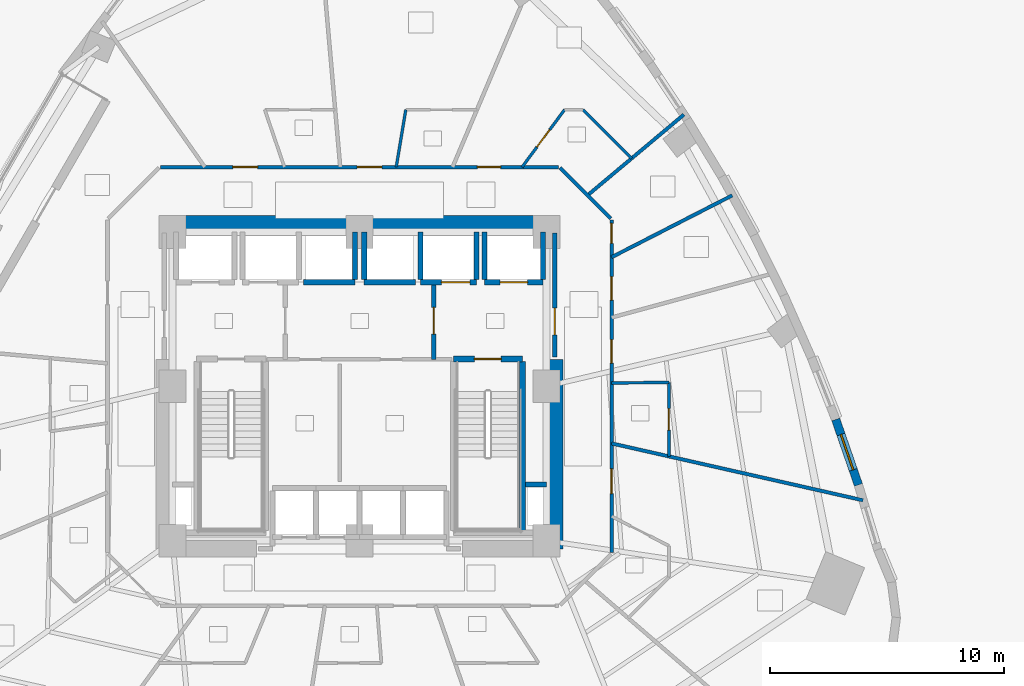
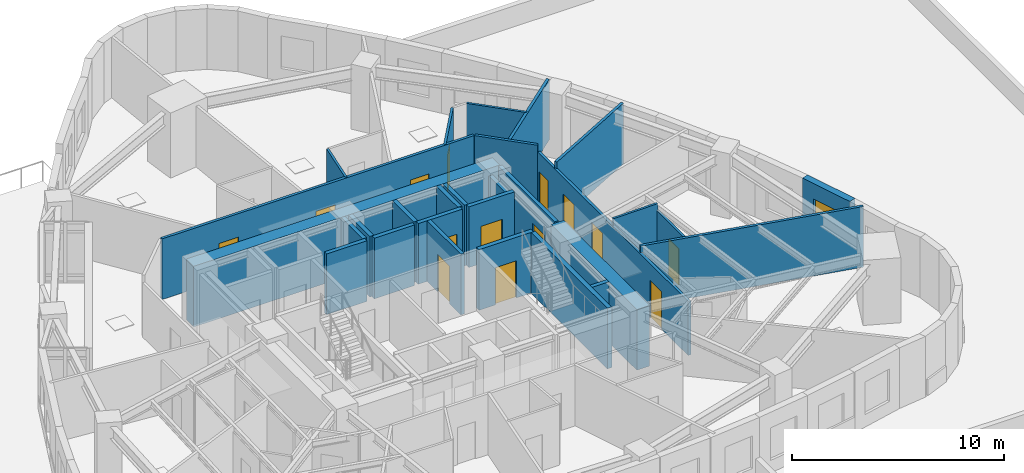
# One storey, part 10 of 15: 29 walls, 14 doors, 1 window, 15 openings.
"""IFC4 building model written with IfcOpenShell, lengths in metres."""

from ifc_helpers import new_model, si_unit, direction, frame, frame_2d, origin, place, context, subcontext, project, spatial, rectangle, extrude, material, layer, layer_set, type_object, element, fill, save


model = new_model("IFC4")

# Units and contexts
model_context = context("Model", 3, precision=1e-05, world=origin(), true_north=direction((0.0, 1.0)))
body_context = subcontext(model_context, "Body", "Model", "MODEL_VIEW")
ifc_project = project(units=[si_unit("LENGTHUNIT", "METRE"), si_unit("AREAUNIT", "SQUARE_METRE"), si_unit("VOLUMEUNIT", "CUBIC_METRE"), si_unit("PLANEANGLEUNIT", "RADIAN"), si_unit("MASSUNIT", "GRAM", prefix="KILO")], contexts=[model_context])

# Site, building, storey
site_placement = place(None, origin())
site = spatial("IfcSite", under=ifc_project, at=site_placement, CompositionType="ELEMENT")
building_placement = place(site_placement, origin())
building = spatial("IfcBuilding", under=site, at=building_placement, Name="Ndelora Gate Hotel", CompositionType="ELEMENT")
storey_placement = place(building_placement, frame((0.0, 0.0, 30.5)))
storey = spatial("IfcBuildingStorey", under=building, at=storey_placement, Name="L06", CompositionType="ELEMENT", Elevation=30.5)

# Wall, opening, window
ifc_material_1 = material(Name="Clay Brick Masonry", Category="masonry")
ifc_layer_1 = layer(ifc_material_1, 0.360107421875)
ifc_layer_set_1 = layer_set([ifc_layer_1], Name="Clay Brick Masonry")
wall_type_1 = type_object("IfcWallType", Name="WL-BRICK-360", PredefinedType="SOLIDWALL", material=ifc_layer_set_1)
wall_1_placement = place(storey_placement, frame((20.368408203125, -1.417236328125, 0.0), z_axis=(0.0, 0.0, 1.0), x_axis=(0.327385218266, -0.944890956069, 0.0)))
wall_1 = element("IfcWall", 1, at=wall_1_placement, inside=storey, type_object=wall_type_1, Name="L06 Tower Brick Pier-and-Spandrel Wall TWR-48", PredefinedType="SOLIDWALL", context=body_context, shape_type="SweptSolid", body=[
    extrude(rectangle(XDim=2.961181640625, YDim=0.360107421875, at=frame_2d((1.48046875, 0.0))), origin(), (0.0, 0.0, 1.0), 3.5),
])
opening_1_placement = place(wall_1_placement, frame((0.6806640625, 0.0, 0.719970703125)))
opening_1 = element("IfcOpeningElement", 2, at=opening_1_placement, cuts=wall_1, Name="Opening W01", PredefinedType="OPENING", context=body_context, shape_type="SweptSolid", body=[
    extrude(rectangle(XDim=1.60009765625, YDim=1.8798828125, at=frame_2d((0.800048828125, 0.93994140625))), frame((0.0, 0.18994140625, 0.0), z_axis=(0.0, -1.0, 0.0), x_axis=(1.0, 0.0, 0.0)), (0.0, 0.0, 1.0), 0.380126953125),
])
ifc_material_2 = material(Name="Insulated Low-E Double Glazing in Bronze Aluminium Frame", Category="aluminium")
window_type = type_object("IfcWindowType", Name="WN-DEEP-1600", PartitioningType="SINGLE_PANEL", PredefinedType="WINDOW", material=ifc_material_2)
window_placement = place(opening_1_placement, origin())
window = element("IfcWindow", 3, at=window_placement, inside=storey, type_object=window_type, Name="L06 Deep-Set Brick-Pier Window W01", OverallHeight=1.8798828125, OverallWidth=1.60009765625, PartitioningType="SINGLE_PANEL", PredefinedType="WINDOW", context=body_context, shape_type="SweptSolid", body=[
    extrude(rectangle(XDim=1.60009765625, YDim=1.8798828125, at=frame_2d((0.800048828125, 0.93994140625))), frame((0.0, 0.030029296875, 0.0), z_axis=(0.0, -1.0, 0.0), x_axis=(1.0, 0.0, 0.0)), (0.0, 0.0, 1.0), 0.06005859375),
])
fill(opening_1, window)

# Walls
ifc_material_3 = material(Name="Concrete C60/75", Category="concrete")
ifc_layer_2 = layer(ifc_material_3, 0.699951171875)
ifc_layer_set_2 = layer_set([ifc_layer_2], Name="Concrete C60/75")
wall_type_2 = type_object("IfcWallType", Name="WL-CORE-700", PredefinedType="SHEAR", material=ifc_layer_set_2)
wall_2_placement = place(storey_placement, frame((-8.35009765625, 6.949951171875, 0.0), z_axis=(0.0, 0.0, 1.0), x_axis=(1.0, 0.0, 0.0)))
element("IfcWall", 4, at=wall_2_placement, inside=storey, type_object=wall_type_2, Name="L06 Core Shear Wall N", PredefinedType="SHEAR", context=body_context, shape_type="SweptSolid", body=[
    extrude(rectangle(XDim=16.7001953125, YDim=0.699951171875, at=frame_2d((8.35009765625, 0.0))), origin(), (0.0, 0.0, 1.0), 3.5),
])
wall_3_placement = place(storey_placement, frame((8.35009765625, -6.949951171875, 0.0), z_axis=(0.0, 0.0, 1.0), x_axis=(0.0, 1.0, 0.0)))
element("IfcWall", 5, at=wall_3_placement, inside=storey, type_object=wall_type_2, Name="L06 Core Shear Wall E", PredefinedType="SHEAR", context=body_context, shape_type="SweptSolid", body=[
    extrude(rectangle(XDim=8.099853515625, YDim=0.699951171875, at=frame_2d((4.0498046875, 0.0))), origin(), (0.0, 0.0, 1.0), 3.5),
])

# Wall, opening, door
ifc_material_4 = material(Name="Concrete C40/50", Category="concrete")
ifc_layer_3 = layer(ifc_material_4, 0.199951171875)
ifc_layer_set_3 = layer_set([ifc_layer_3], Name="Concrete C40/50")
wall_type_3 = type_object("IfcWallType", Name="WL-FIRE-200", PredefinedType="PARTITIONING", material=ifc_layer_set_3)
wall_4_placement = place(storey_placement, frame((3.179931640625, 1.14990234375, 0.0), z_axis=(0.0, 0.0, 1.0), x_axis=(0.0, 1.0, 0.0)))
wall_4 = element("IfcWall", 6, at=wall_4_placement, inside=storey, type_object=wall_type_3, Name="L06 Interior Wall IW-2", PredefinedType="PARTITIONING", context=body_context, shape_type="SweptSolid", body=[
    extrude(rectangle(XDim=3.300048828125, YDim=0.199951171875, at=frame_2d((1.64990234375, 0.0))), origin(), (0.0, 0.0, 1.0), 3.5),
])
opening_2_placement = place(wall_4_placement, frame((1.080078125, 0.0, 0.0)))
opening_2 = element("IfcOpeningElement", 7, at=opening_2_placement, cuts=wall_4, Name="Opening FD1", PredefinedType="OPENING", context=body_context, shape_type="SweptSolid", body=[
    extrude(rectangle(XDim=1.14990234375, YDim=2.14990234375, at=frame_2d((0.574951171875, 1.074951171875))), frame((0.0, 0.10986328125, 0.0), z_axis=(0.0, -1.0, 0.0), x_axis=(1.0, 0.0, 0.0)), (0.0, 0.0, 1.0), 0.219970703125),
])
ifc_material_5 = material(Name="Fire-Rated Timber-Veneer Steel Core", Category="steel")
door_type_1 = type_object("IfcDoorType", Name="DR-FD60", OperationType="SINGLE_SWING_LEFT", PredefinedType="DOOR", material=ifc_material_5)
door_1_placement = place(opening_2_placement, origin())
door_1 = element("IfcDoor", 8, at=door_1_placement, inside=storey, type_object=door_type_1, Name="L06 Firefighting Lobby East Door", OperationType="SINGLE_SWING_LEFT", OverallHeight=2.14990234375, OverallWidth=1.14990234375, PredefinedType="DOOR", context=body_context, shape_type="SweptSolid", body=[
    extrude(rectangle(XDim=1.14990234375, YDim=2.14990234375, at=frame_2d((0.574951171875, 1.074951171875))), frame((0.0, 0.02490234375, 0.0), z_axis=(0.0, -1.0, 0.0), x_axis=(1.0, 0.0, 0.0)), (0.0, 0.0, 1.0), 0.050048828125),
])
fill(opening_2, door_1)

wall_5_placement = place(storey_placement, frame((8.35009765625, 1.25, 0.0), z_axis=(0.0, 0.0, 1.0), x_axis=(0.0, 1.0, 0.0)))
wall_5 = element("IfcWall", 9, at=wall_5_placement, inside=storey, type_object=wall_type_3, Name="L06 Interior Wall IW-2", PredefinedType="PARTITIONING", context=body_context, shape_type="SweptSolid", body=[
    extrude(rectangle(XDim=5.300048828125, YDim=0.199951171875, at=frame_2d((2.64990234375, 0.0))), origin(), (0.0, 0.0, 1.0), 3.5),
])
opening_3_placement = place(wall_5_placement, frame((0.949951171875, 0.0, 0.0)))
opening_3 = element("IfcOpeningElement", 10, at=opening_3_placement, cuts=wall_5, Name="Opening FD1", PredefinedType="OPENING", context=body_context, shape_type="SweptSolid", body=[
    extrude(rectangle(XDim=1.14990234375, YDim=2.14990234375, at=frame_2d((0.574951171875, 1.074951171875))), frame((0.0, 0.10986328125, 0.0), z_axis=(0.0, -1.0, 0.0), x_axis=(1.0, 0.0, 0.0)), (0.0, 0.0, 1.0), 0.219970703125),
])
door_2_placement = place(opening_3_placement, origin())
door_2 = element("IfcDoor", 11, at=door_2_placement, inside=storey, type_object=door_type_1, Name="L06 Firefighting Lobby East Corridor Door", OperationType="SINGLE_SWING_RIGHT", OverallHeight=2.14990234375, OverallWidth=1.14990234375, PredefinedType="DOOR", context=body_context, shape_type="SweptSolid", body=[
    extrude(rectangle(XDim=1.14990234375, YDim=2.14990234375, at=frame_2d((0.574951171875, 1.074951171875))), frame((0.0, 0.02490234375, 0.0), z_axis=(0.0, -1.0, 0.0), x_axis=(1.0, 0.0, 0.0)), (0.0, 0.0, 1.0), 0.050048828125),
])
fill(opening_3, door_2)

# Wall, openings, doors
ifc_material_6 = material(Name="Fire-Rated Gypsum Stud Partition", Category="gypsum")
ifc_layer_4 = layer(ifc_material_6, 0.14990234375)
ifc_layer_set_4 = layer_set([ifc_layer_4], Name="Fire-Rated Gypsum Stud Partition")
wall_type_4 = type_object("IfcWallType", Name="WL-PART-150", PredefinedType="PARTITIONING", material=ifc_layer_set_4)
wall_6_placement = place(storey_placement, frame((10.780029296875, 7.110107421875, 0.0), z_axis=(0.0, 0.0, 1.0), x_axis=(0.0, -1.0, 0.0)))
wall_6 = element("IfcWall", 12, at=wall_6_placement, inside=storey, type_object=wall_type_4, Name="L06 Interior Wall IW-5", PredefinedType="PARTITIONING", context=body_context, shape_type="SweptSolid", body=[
    extrude(rectangle(XDim=14.22021484375, YDim=0.14990234375, at=frame_2d((7.110107421875, 0.0))), origin(), (0.0, 0.0, 1.0), 3.1201171875),
])
opening_4_placement = place(wall_6_placement, frame((0.139892578125, 0.0, 0.0)))
opening_4 = element("IfcOpeningElement", 13, at=opening_4_placement, cuts=wall_6, Name="Opening D09", PredefinedType="OPENING", context=body_context, shape_type="SweptSolid", body=[
    extrude(rectangle(XDim=0.860107421875, YDim=2.050048828125, at=frame_2d((0.43017578125, 1.02490234375))), frame((0.0, 0.0849609375, 0.0), z_axis=(0.0, -1.0, 0.0), x_axis=(1.0, 0.0, 0.0)), (0.0, 0.0, 1.0), 0.169921875),
])
opening_5_placement = place(wall_6_placement, frame((2.417236328125, 0.0, 0.0)))
opening_5 = element("IfcOpeningElement", 14, at=opening_5_placement, cuts=wall_6, Name="Opening D01", PredefinedType="OPENING", context=body_context, shape_type="SweptSolid", body=[
    extrude(rectangle(XDim=1.0, YDim=2.14990234375, at=frame_2d((0.5, 1.074951171875))), frame((0.0, 0.0849609375, 0.0), z_axis=(0.0, -1.0, 0.0), x_axis=(1.0, 0.0, 0.0)), (0.0, 0.0, 1.0), 0.169921875),
])
opening_6_placement = place(wall_6_placement, frame((5.114990234375, 0.0, 0.0)))
opening_6 = element("IfcOpeningElement", 15, at=opening_6_placement, cuts=wall_6, Name="Opening D01", PredefinedType="OPENING", context=body_context, shape_type="SweptSolid", body=[
    extrude(rectangle(XDim=1.0, YDim=2.14990234375, at=frame_2d((0.5, 1.074951171875))), frame((0.0, 0.0849609375, 0.0), z_axis=(0.0, -1.0, 0.0), x_axis=(1.0, 0.0, 0.0)), (0.0, 0.0, 1.0), 0.169921875),
])
opening_7_placement = place(wall_6_placement, frame((10.638916015625, 0.0, 0.0)))
opening_7 = element("IfcOpeningElement", 16, at=opening_7_placement, cuts=wall_6, Name="Opening D07", PredefinedType="OPENING", context=body_context, shape_type="SweptSolid", body=[
    extrude(rectangle(XDim=1.06005859375, YDim=2.14990234375, at=frame_2d((0.530029296875, 1.074951171875))), frame((0.0, 0.0849609375, 0.0), z_axis=(0.0, -1.0, 0.0), x_axis=(1.0, 0.0, 0.0)), (0.0, 0.0, 1.0), 0.169921875),
])
ifc_material_7 = material(Name="Acoustic Hardwood Guest Entrance Door", Category="wood")
door_type_2 = type_object("IfcDoorType", Name="DR-COR-1000", OperationType="SINGLE_SWING_LEFT", PredefinedType="DOOR", material=ifc_material_7)
door_3_placement = place(opening_5_placement, origin())
door_3 = element("IfcDoor", 17, at=door_3_placement, inside=storey, type_object=door_type_2, Name="L06 Housekeeping and Linen Room Entrance Door", OperationType="SINGLE_SWING_LEFT", OverallHeight=2.14990234375, OverallWidth=1.0, PredefinedType="DOOR", context=body_context, shape_type="SweptSolid", body=[
    extrude(rectangle(XDim=1.0, YDim=2.14990234375, at=frame_2d((0.5, 1.074951171875))), frame((0.0, 0.02490234375, 0.0), z_axis=(0.0, -1.0, 0.0), x_axis=(1.0, 0.0, 0.0)), (0.0, 0.0, 1.0), 0.050048828125),
])
fill(opening_5, door_3)
door_4_placement = place(opening_6_placement, origin())
door_4 = element("IfcDoor", 18, at=door_4_placement, inside=storey, type_object=door_type_2, Name="L06 Twin Guest Room 910 Entrance Door", OperationType="SINGLE_SWING_RIGHT", OverallHeight=2.14990234375, OverallWidth=1.0, PredefinedType="DOOR", context=body_context, shape_type="SweptSolid", body=[
    extrude(rectangle(XDim=1.0, YDim=2.14990234375, at=frame_2d((0.5, 1.074951171875))), frame((0.0, 0.02490234375, 0.0), z_axis=(0.0, -1.0, 0.0), x_axis=(1.0, 0.0, 0.0)), (0.0, 0.0, 1.0), 0.050048828125),
])
fill(opening_6, door_4)
ifc_material_8 = material(Name="Painted Steel Compact Service Door", Category="steel")
door_type_3 = type_object("IfcDoorType", Name="DR-SER-860", OperationType="SINGLE_SWING_LEFT", PredefinedType="DOOR", material=ifc_material_8)
door_5_placement = place(opening_4_placement, origin())
door_5 = element("IfcDoor", 19, at=door_5_placement, inside=storey, type_object=door_type_3, Name="L06 Accessible WC Entrance Door", OperationType="SINGLE_SWING_RIGHT", OverallHeight=2.050048828125, OverallWidth=0.860107421875, PredefinedType="DOOR", context=body_context, shape_type="SweptSolid", body=[
    extrude(rectangle(XDim=0.860107421875, YDim=2.050048828125, at=frame_2d((0.43017578125, 1.02490234375))), frame((0.0, 0.02490234375, 0.0), z_axis=(0.0, -1.0, 0.0), x_axis=(1.0, 0.0, 0.0)), (0.0, 0.0, 1.0), 0.050048828125),
])
fill(opening_4, door_5)
ifc_material_9 = material(Name="Diplomatic Suite Acoustic Entrance Door", Category="wood")
door_type_4 = type_object("IfcDoorType", Name="DR-SUITE-1060", OperationType="SINGLE_SWING_LEFT", PredefinedType="DOOR", material=ifc_material_9)
door_6_placement = place(opening_7_placement, origin())
door_6 = element("IfcDoor", 20, at=door_6_placement, inside=storey, type_object=door_type_4, Name="L06 Deluxe King Junior Suite 909 Entrance Door", OperationType="SINGLE_SWING_RIGHT", OverallHeight=2.14990234375, OverallWidth=1.06005859375, PredefinedType="DOOR", context=body_context, shape_type="SweptSolid", body=[
    extrude(rectangle(XDim=1.06005859375, YDim=2.14990234375, at=frame_2d((0.530029296875, 1.074951171875))), frame((0.0, 0.02490234375, 0.0), z_axis=(0.0, -1.0, 0.0), x_axis=(1.0, 0.0, 0.0)), (0.0, 0.0, 1.0), 0.050048828125),
])
fill(opening_7, door_6)

# Wall
wall_7_placement = place(storey_placement, frame((8.578369140625, 9.351806640625, 0.0), z_axis=(0.0, 0.0, 1.0), x_axis=(0.707067066127, -0.707146494016, 0.0)))
element("IfcWall", 21, at=wall_7_placement, inside=storey, type_object=wall_type_4, Name="L06 Interior Wall IW-5", PredefinedType="PARTITIONING", context=body_context, shape_type="SweptSolid", body=[
    extrude(rectangle(XDim=3.07373046875, YDim=0.14990234375, at=frame_2d((1.536865234375, 0.0))), origin(), (0.0, 0.0, 1.0), 3.5),
])

# Wall, openings, doors
wall_8_placement = place(storey_placement, frame((-8.510009765625, 9.3798828125, 0.0), z_axis=(0.0, 0.0, 1.0), x_axis=(1.0, 0.0, 0.0)))
wall_8 = element("IfcWall", 22, at=wall_8_placement, inside=storey, type_object=wall_type_4, Name="L06 Interior Wall IW-5", PredefinedType="PARTITIONING", context=body_context, shape_type="SweptSolid", body=[
    extrude(rectangle(XDim=17.02001953125, YDim=0.14990234375, at=frame_2d((8.510009765625, 0.0))), origin(), (0.0, 0.0, 1.0), 3.5),
])
opening_8_placement = place(wall_8_placement, frame((13.54541015625, 0.0, 0.0)))
opening_8 = element("IfcOpeningElement", 23, at=opening_8_placement, cuts=wall_8, Name="Opening D01", PredefinedType="OPENING", context=body_context, shape_type="SweptSolid", body=[
    extrude(rectangle(XDim=1.0, YDim=2.14990234375, at=frame_2d((0.5, 1.074951171875))), frame((0.0, 0.0849609375, 0.0), z_axis=(0.0, -1.0, 0.0), x_axis=(1.0, 0.0, 0.0)), (0.0, 0.0, 1.0), 0.169921875),
])
opening_9_placement = place(wall_8_placement, frame((3.094970703125, 0.0, 0.0)))
opening_9 = element("IfcOpeningElement", 24, at=opening_9_placement, cuts=wall_8, Name="Opening D07", PredefinedType="OPENING", context=body_context, shape_type="SweptSolid", body=[
    extrude(rectangle(XDim=1.06005859375, YDim=2.14990234375, at=frame_2d((0.530029296875, 1.074951171875))), frame((0.0, 0.0849609375, 0.0), z_axis=(0.0, -1.0, 0.0), x_axis=(1.0, 0.0, 0.0)), (0.0, 0.0, 1.0), 0.169921875),
])
opening_10_placement = place(wall_8_placement, frame((8.40185546875, 0.0, 0.0)))
opening_10 = element("IfcOpeningElement", 25, at=opening_10_placement, cuts=wall_8, Name="Opening D07", PredefinedType="OPENING", context=body_context, shape_type="SweptSolid", body=[
    extrude(rectangle(XDim=1.06005859375, YDim=2.14990234375, at=frame_2d((0.530029296875, 1.074951171875))), frame((0.0, 0.0849609375, 0.0), z_axis=(0.0, -1.0, 0.0), x_axis=(1.0, 0.0, 0.0)), (0.0, 0.0, 1.0), 0.169921875),
])
door_7_placement = place(opening_8_placement, origin())
door_7 = element("IfcDoor", 26, at=door_7_placement, inside=storey, type_object=door_type_2, Name="L06 Deluxe King Guest Room 901 Entrance Door", OperationType="SINGLE_SWING_RIGHT", OverallHeight=2.14990234375, OverallWidth=1.0, PredefinedType="DOOR", context=body_context, shape_type="SweptSolid", body=[
    extrude(rectangle(XDim=1.0, YDim=2.14990234375, at=frame_2d((0.5, 1.074951171875))), frame((0.0, 0.02490234375, 0.0), z_axis=(0.0, -1.0, 0.0), x_axis=(1.0, 0.0, 0.0)), (0.0, 0.0, 1.0), 0.050048828125),
])
fill(opening_8, door_7)
door_8_placement = place(opening_9_placement, origin())
door_8 = element("IfcDoor", 27, at=door_8_placement, inside=storey, type_object=door_type_4, Name="L06 Corner Junior Suite 903 Entrance Door", OperationType="SINGLE_SWING_LEFT", OverallHeight=2.14990234375, OverallWidth=1.06005859375, PredefinedType="DOOR", context=body_context, shape_type="SweptSolid", body=[
    extrude(rectangle(XDim=1.06005859375, YDim=2.14990234375, at=frame_2d((0.530029296875, 1.074951171875))), frame((0.0, 0.02490234375, 0.0), z_axis=(0.0, -1.0, 0.0), x_axis=(1.0, 0.0, 0.0)), (0.0, 0.0, 1.0), 0.050048828125),
])
fill(opening_9, door_8)
door_9_placement = place(opening_10_placement, origin())
door_9 = element("IfcDoor", 28, at=door_9_placement, inside=storey, type_object=door_type_4, Name="L06 Twin Junior Suite 902 Entrance Door", OperationType="SINGLE_SWING_RIGHT", OverallHeight=2.14990234375, OverallWidth=1.06005859375, PredefinedType="DOOR", context=body_context, shape_type="SweptSolid", body=[
    extrude(rectangle(XDim=1.06005859375, YDim=2.14990234375, at=frame_2d((0.530029296875, 1.074951171875))), frame((0.0, 0.02490234375, 0.0), z_axis=(0.0, -1.0, 0.0), x_axis=(1.0, 0.0, 0.0)), (0.0, 0.0, 1.0), 0.050048828125),
])
fill(opening_10, door_9)

# Walls
wall_9_placement = place(storey_placement, frame((9.75634765625, 8.173583984375, 0.0), z_axis=(0.0, 0.0, 1.0), x_axis=(0.766556770399, 0.642176547186, 0.0)))
element("IfcWall", 29, at=wall_9_placement, inside=storey, type_object=wall_type_4, Name="L06 Interior Wall IW-5", PredefinedType="PARTITIONING", context=body_context, shape_type="SweptSolid", body=[
    extrude(rectangle(XDim=5.370361328125, YDim=0.14990234375, at=frame_2d((2.68505859375, 0.0))), origin(), (0.0, 0.0, 1.0), 3.5),
])
wall_10_placement = place(storey_placement, frame((10.780029296875, -2.440185546875, 0.0), z_axis=(0.0, 0.0, 1.0), x_axis=(0.97532517317, -0.220773201681, 0.0)))
element("IfcWall", 30, at=wall_10_placement, inside=storey, type_object=wall_type_4, Name="L06 Interior Wall IW-5", PredefinedType="PARTITIONING", context=body_context, shape_type="SweptSolid", body=[
    extrude(rectangle(XDim=11.027587890625, YDim=0.14990234375, at=frame_2d((5.513671875, 0.0))), origin(), (0.0, 0.0, 1.0), 3.5),
])
wall_11_placement = place(storey_placement, frame((10.780029296875, 5.5224609375, 0.0), z_axis=(0.0, 0.0, 1.0), x_axis=(0.889994161799, 0.455971920149, 0.0)))
element("IfcWall", 31, at=wall_11_placement, inside=storey, type_object=wall_type_4, Name="L06 Interior Wall IW-5", PredefinedType="PARTITIONING", context=body_context, shape_type="SweptSolid", body=[
    extrude(rectangle(XDim=5.794921875, YDim=0.14990234375, at=frame_2d((2.8974609375, 0.0))), origin(), (0.0, 0.0, 1.0), 3.5),
])
ifc_layer_5 = layer(ifc_material_4, 0.219970703125)
ifc_layer_set_5 = layer_set([ifc_layer_5], Name="Concrete C40/50")
wall_type_5 = type_object("IfcWallType", Name="WL-SHAFT-220", PredefinedType="PARTITIONING", material=ifc_layer_set_5)
wall_12_placement = place(storey_placement, frame((7.090087890625, -4.199951171875, 0.0), z_axis=(0.0, 0.0, 1.0), x_axis=(1.0, 0.0, 0.0)))
element("IfcWall", 32, at=wall_12_placement, inside=storey, type_object=wall_type_5, Name="L06 Interior Wall IW-1", PredefinedType="PARTITIONING", context=body_context, shape_type="SweptSolid", body=[
    extrude(rectangle(XDim=0.909912109375, YDim=0.219970703125, at=frame_2d((0.455078125, 0.0))), origin(), (0.0, 0.0, 1.0), 3.5),
])

# Wall, opening, door
wall_13_placement = place(storey_placement, frame((5.35009765625, 4.449951171875, 0.0), z_axis=(0.0, 0.0, 1.0), x_axis=(1.0, 0.0, 0.0)))
wall_13 = element("IfcWall", 33, at=wall_13_placement, inside=storey, type_object=wall_type_5, Name="L06 Interior Wall IW-1", PredefinedType="PARTITIONING", context=body_context, shape_type="SweptSolid", body=[
    extrude(rectangle(XDim=2.5, YDim=0.219970703125, at=frame_2d((1.25, 0.0))), origin(), (0.0, 0.0, 1.0), 3.5),
])
opening_11_placement = place(wall_13_placement, frame((0.659912109375, 0.0, 0.0)))
opening_11 = element("IfcOpeningElement", 34, at=opening_11_placement, cuts=wall_13, Name="Opening LD5", PredefinedType="OPENING", context=body_context, shape_type="SweptSolid", body=[
    extrude(rectangle(XDim=1.179931640625, YDim=2.14990234375, at=frame_2d((0.58984375, 1.074951171875))), frame((0.0, 0.1201171875, 0.0), z_axis=(0.0, -1.0, 0.0), x_axis=(1.0, 0.0, 0.0)), (0.0, 0.0, 1.0), 0.239990234375),
])
ifc_material_10 = material(Name="Firefighting Lift Stainless Sliding Landing Door", Category="metal")
door_type_5 = type_object("IfcDoorType", Name="DR-LD5", OperationType="DOUBLE_DOOR_SLIDING", PredefinedType="DOOR", material=ifc_material_10)
door_10_placement = place(opening_11_placement, origin())
door_10 = element("IfcDoor", 35, at=door_10_placement, inside=storey, type_object=door_type_5, Name="L06 Lift Landing Sliding Door FFL2", OperationType="DOUBLE_DOOR_SLIDING", OverallHeight=2.14990234375, OverallWidth=1.179931640625, PredefinedType="DOOR", context=body_context, shape_type="SweptSolid", body=[
    extrude(rectangle(XDim=1.179931640625, YDim=2.14990234375, at=frame_2d((0.58984375, 1.074951171875))), frame((0.0, 0.02490234375, 0.0), z_axis=(0.0, -1.0, 0.0), x_axis=(1.0, 0.0, 0.0)), (0.0, 0.0, 1.0), 0.050048828125),
])
fill(opening_11, door_10)

# Walls
wall_14_placement = place(storey_placement, frame((5.35009765625, 4.570068359375, 0.0), z_axis=(0.0, 0.0, 1.0), x_axis=(0.0, 1.0, 0.0)))
element("IfcWall", 36, at=wall_14_placement, inside=storey, type_object=wall_type_5, Name="L06 Interior Wall IW-1", PredefinedType="PARTITIONING", context=body_context, shape_type="SweptSolid", body=[
    extrude(rectangle(XDim=2.030029296875, YDim=0.219970703125, at=frame_2d((1.01513671875, 0.0))), origin(), (0.0, 0.0, 1.0), 3.5),
])
wall_15_placement = place(storey_placement, frame((7.85009765625, 4.570068359375, 0.0), z_axis=(0.0, 0.0, 1.0), x_axis=(0.0, 1.0, 0.0)))
element("IfcWall", 37, at=wall_15_placement, inside=storey, type_object=wall_type_5, Name="L06 Interior Wall IW-1", PredefinedType="PARTITIONING", context=body_context, shape_type="SweptSolid", body=[
    extrude(rectangle(XDim=2.030029296875, YDim=0.219970703125, at=frame_2d((1.01513671875, 0.0))), origin(), (0.0, 0.0, 1.0), 3.080078125),
])

# Wall, opening, door
wall_16_placement = place(storey_placement, frame((2.60009765625, 4.449951171875, 0.0), z_axis=(0.0, 0.0, 1.0), x_axis=(1.0, 0.0, 0.0)))
wall_16 = element("IfcWall", 38, at=wall_16_placement, inside=storey, type_object=wall_type_5, Name="L06 Interior Wall IW-1", PredefinedType="PARTITIONING", context=body_context, shape_type="SweptSolid", body=[
    extrude(rectangle(XDim=2.39990234375, YDim=0.219970703125, at=frame_2d((1.199951171875, 0.0))), origin(), (0.0, 0.0, 1.0), 3.5),
])
opening_12_placement = place(wall_16_placement, frame((0.89990234375, 0.0, 0.0)))
opening_12 = element("IfcOpeningElement", 39, at=opening_12_placement, cuts=wall_16, Name="Opening LD6", PredefinedType="OPENING", context=body_context, shape_type="SweptSolid", body=[
    extrude(rectangle(XDim=1.219970703125, YDim=2.14990234375, at=frame_2d((0.60986328125, 1.074951171875))), frame((0.0, 0.1201171875, 0.0), z_axis=(0.0, -1.0, 0.0), x_axis=(1.0, 0.0, 0.0)), (0.0, 0.0, 1.0), 0.239990234375),
])
ifc_material_11 = material(Name="Heavy-Duty Service Lift Sliding Landing Door", Category="wood")
door_type_6 = type_object("IfcDoorType", Name="DR-LD6", OperationType="DOUBLE_DOOR_SLIDING", PredefinedType="DOOR", material=ifc_material_11)
door_11_placement = place(opening_12_placement, origin())
door_11 = element("IfcDoor", 40, at=door_11_placement, inside=storey, type_object=door_type_6, Name="L06 Lift Landing Sliding Door SVL2", OperationType="DOUBLE_DOOR_SLIDING", OverallHeight=2.14990234375, OverallWidth=1.219970703125, PredefinedType="DOOR", context=body_context, shape_type="SweptSolid", body=[
    extrude(rectangle(XDim=1.219970703125, YDim=2.14990234375, at=frame_2d((0.60986328125, 1.074951171875))), frame((0.0, 0.02490234375, 0.0), z_axis=(0.0, -1.0, 0.0), x_axis=(1.0, 0.0, 0.0)), (0.0, 0.0, 1.0), 0.050048828125),
])
fill(opening_12, door_11)

# Walls
for number, where, z_axis, x_axis, name in (
    (41, (2.60009765625, 4.570068359375, 0.0), (0.0, 0.0, 1.0), (0.0, 1.0, 0.0), "L06 Interior Wall IW-1"),
    (42, (5.0, 4.570068359375, 0.0), (0.0, 0.0, 1.0), (0.0, 1.0, 0.0), "L06 Interior Wall IW-1"),
):
    element("IfcWall", number, at=place(storey_placement, frame(where, z_axis=z_axis, x_axis=x_axis)), inside=storey, type_object=wall_type_5, Name=name, PredefinedType="PARTITIONING", context=body_context, shape_type="SweptSolid", body=[
        extrude(rectangle(XDim=2.030029296875, YDim=0.219970703125, at=frame_2d((1.01513671875, 0.0))), origin(), (0.0, 0.0, 1.0), 3.5),
    ])
wall_17_placement = place(storey_placement, frame((-2.39990234375, 4.449951171875, 0.0), z_axis=(0.0, 0.0, 1.0), x_axis=(1.0, 0.0, 0.0)))
element("IfcWall", 43, at=wall_17_placement, inside=storey, type_object=wall_type_5, Name="L06 Interior Wall IW-1", PredefinedType="PARTITIONING", context=body_context, shape_type="SweptSolid", body=[
    extrude(rectangle(XDim=2.199951171875, YDim=0.219970703125, at=frame_2d((1.10009765625, 0.0))), origin(), (0.0, 0.0, 1.0), 3.5),
])
wall_18_placement = place(storey_placement, frame((-0.199951171875, 4.570068359375, 0.0), z_axis=(0.0, 0.0, 1.0), x_axis=(0.0, 1.0, 0.0)))
element("IfcWall", 44, at=wall_18_placement, inside=storey, type_object=wall_type_5, Name="L06 Interior Wall IW-1", PredefinedType="PARTITIONING", context=body_context, shape_type="SweptSolid", body=[
    extrude(rectangle(XDim=2.030029296875, YDim=0.219970703125, at=frame_2d((1.01513671875, 0.0))), origin(), (0.0, 0.0, 1.0), 3.5),
])
wall_19_placement = place(storey_placement, frame((0.199951171875, 4.449951171875, 0.0), z_axis=(0.0, 0.0, 1.0), x_axis=(1.0, 0.0, 0.0)))
element("IfcWall", 45, at=wall_19_placement, inside=storey, type_object=wall_type_5, Name="L06 Interior Wall IW-1", PredefinedType="PARTITIONING", context=body_context, shape_type="SweptSolid", body=[
    extrude(rectangle(XDim=2.199951171875, YDim=0.219970703125, at=frame_2d((1.10009765625, 0.0))), origin(), (0.0, 0.0, 1.0), 3.5),
])
wall_20_placement = place(storey_placement, frame((0.199951171875, 4.570068359375, 0.0), z_axis=(0.0, 0.0, 1.0), x_axis=(0.0, 1.0, 0.0)))
element("IfcWall", 46, at=wall_20_placement, inside=storey, type_object=wall_type_5, Name="L06 Interior Wall IW-1", PredefinedType="PARTITIONING", context=body_context, shape_type="SweptSolid", body=[
    extrude(rectangle(XDim=2.030029296875, YDim=0.219970703125, at=frame_2d((1.01513671875, 0.0))), origin(), (0.0, 0.0, 1.0), 3.5),
])
ifc_material_12 = material(Name="Concrete C50/60", Category="concrete")
ifc_layer_6 = layer(ifc_material_12, 0.239990234375)
ifc_layer_set_6 = layer_set([ifc_layer_6], Name="Concrete C50/60")
wall_type_6 = type_object("IfcWallType", Name="WL-STAIR-240", PredefinedType="SHEAR", material=ifc_layer_set_6)
wall_21_placement = place(storey_placement, frame((6.969970703125, -6.159912109375, 0.0), z_axis=(0.0, 0.0, 1.0), x_axis=(0.0, 1.0, 0.0)))
element("IfcWall", 47, at=wall_21_placement, inside=storey, type_object=wall_type_6, Name="L06 Stair Core Shear Wall SW-ST", PredefinedType="SHEAR", context=body_context, shape_type="SweptSolid", body=[
    extrude(rectangle(XDim=7.219970703125, YDim=0.239990234375, at=frame_2d((3.60986328125, 0.0))), origin(), (0.0, 0.0, 1.0), 3.5),
])

# Wall, opening, door
wall_22_placement = place(storey_placement, frame((4.010009765625, 1.169921875, 0.0), z_axis=(0.0, 0.0, 1.0), x_axis=(1.0, 0.0, 0.0)))
wall_22 = element("IfcWall", 48, at=wall_22_placement, inside=storey, type_object=wall_type_6, Name="L06 Stair Core Shear Wall SW-ST", PredefinedType="SHEAR", context=body_context, shape_type="SweptSolid", body=[
    extrude(rectangle(XDim=2.9599609375, YDim=0.239990234375, at=frame_2d((1.47998046875, 0.0))), origin(), (0.0, 0.0, 1.0), 3.5),
])
opening_13_placement = place(wall_22_placement, frame((0.89990234375, 0.0, 0.0)))
opening_13 = element("IfcOpeningElement", 49, at=opening_13_placement, cuts=wall_22, Name="Opening FD1", PredefinedType="OPENING", context=body_context, shape_type="SweptSolid", body=[
    extrude(rectangle(XDim=1.14990234375, YDim=2.14990234375, at=frame_2d((0.574951171875, 1.074951171875))), frame((0.0, 0.1298828125, 0.0), z_axis=(0.0, -1.0, 0.0), x_axis=(1.0, 0.0, 0.0)), (0.0, 0.0, 1.0), 0.260009765625),
])
door_12_placement = place(opening_13_placement, origin())
door_12 = element("IfcDoor", 50, at=door_12_placement, inside=storey, type_object=door_type_1, Name="L06 Exit Stair ST5 Door", OperationType="SINGLE_SWING_RIGHT", OverallHeight=2.14990234375, OverallWidth=1.14990234375, PredefinedType="DOOR", context=body_context, shape_type="SweptSolid", body=[
    extrude(rectangle(XDim=1.14990234375, YDim=2.14990234375, at=frame_2d((0.574951171875, 1.074951171875))), frame((0.0, 0.02490234375, 0.0), z_axis=(0.0, -1.0, 0.0), x_axis=(1.0, 0.0, 0.0)), (0.0, 0.0, 1.0), 0.050048828125),
])
fill(opening_13, door_12)

ifc_material_13 = material(Name="Moisture-Resistant Bathroom Tile Partition", Category="gypsum")
ifc_layer_7 = layer(ifc_material_13, 0.1201171875)
ifc_layer_set_7 = layer_set([ifc_layer_7], Name="Moisture-Resistant Bathroom Tile Partition")
wall_type_7 = type_object("IfcWallType", Name="WL-WET-120", PredefinedType="PARTITIONING", material=ifc_layer_set_7)
wall_23_placement = place(storey_placement, frame((6.952392578125, 9.3798828125, 0.0), z_axis=(0.0, 0.0, 1.0), x_axis=(0.595378789074, 0.80344514282, 0.0)))
wall_23 = element("IfcWall", 51, at=wall_23_placement, inside=storey, type_object=wall_type_7, Name="L06 Interior Wall IW-7", PredefinedType="PARTITIONING", context=body_context, shape_type="SweptSolid", body=[
    extrude(rectangle(XDim=3.049560546875, YDim=0.1201171875, at=frame_2d((1.52490234375, 0.0))), origin(), (0.0, 0.0, 1.0), 3.5),
])
opening_14_placement = place(wall_23_placement, frame((1.064697265625, 0.0, 0.0)))
opening_14 = element("IfcOpeningElement", 52, at=opening_14_placement, cuts=wall_23, Name="Opening D03", PredefinedType="OPENING", context=body_context, shape_type="SweptSolid", body=[
    extrude(rectangle(XDim=0.919921875, YDim=2.10009765625, at=frame_2d((0.4599609375, 1.050048828125))), frame((0.0, 0.070068359375, 0.0), z_axis=(0.0, -1.0, 0.0), x_axis=(1.0, 0.0, 0.0)), (0.0, 0.0, 1.0), 0.14013671875),
])
ifc_material_14 = material(Name="Moisture-Resistant Hardwood En-Suite Door", Category="wood")
door_type_7 = type_object("IfcDoorType", Name="DR-BATH-920", OperationType="SINGLE_SWING_LEFT", PredefinedType="DOOR", material=ifc_material_14)
door_13_placement = place(opening_14_placement, origin())
door_13 = element("IfcDoor", 53, at=door_13_placement, inside=storey, type_object=door_type_7, Name="L06 En-suite Bathroom 901 Door", OperationType="SINGLE_SWING_RIGHT", OverallHeight=2.10009765625, OverallWidth=0.919921875, PredefinedType="DOOR", context=body_context, shape_type="SweptSolid", body=[
    extrude(rectangle(XDim=0.919921875, YDim=2.10009765625, at=frame_2d((0.4599609375, 1.050048828125))), frame((0.0, 0.02490234375, 0.0), z_axis=(0.0, -1.0, 0.0), x_axis=(1.0, 0.0, 0.0)), (0.0, 0.0, 1.0), 0.050048828125),
])
fill(opening_14, door_13)

# Walls
wall_24_placement = place(storey_placement, frame((9.564697265625, 11.830078125, 0.0), z_axis=(0.0, 0.0, 1.0), x_axis=(0.707106781187, -0.707106781187, 0.0)))
element("IfcWall", 54, at=wall_24_placement, inside=storey, type_object=wall_type_7, Name="L06 Interior Wall IW-7", PredefinedType="PARTITIONING", context=body_context, shape_type="SweptSolid", body=[
    extrude(rectangle(XDim=2.9375, YDim=0.1201171875, at=frame_2d((1.46875, 0.0))), origin(), (0.0, 0.0, 1.0), 3.5),
])
wall_25_placement = place(storey_placement, frame((1.568603515625, 9.3798828125, 0.0), z_axis=(0.0, 0.0, 1.0), x_axis=(0.165004545821, 0.98629280635, 0.0)))
element("IfcWall", 55, at=wall_25_placement, inside=storey, type_object=wall_type_7, Name="L06 Interior Wall IW-7", PredefinedType="PARTITIONING", context=body_context, shape_type="SweptSolid", body=[
    extrude(rectangle(XDim=2.484130859375, YDim=0.1201171875, at=frame_2d((1.2421875, 0.0))), origin(), (0.0, 0.0, 1.0), 3.5),
])
wall_26_placement = place(storey_placement, frame((13.22998046875, 0.172119140625, 0.0), z_axis=(0.0, 0.0, 1.0), x_axis=(-0.999916098969, -0.012953571785, 0.0)))
element("IfcWall", 56, at=wall_26_placement, inside=storey, type_object=wall_type_7, Name="L06 Interior Wall IW-7", PredefinedType="PARTITIONING", context=body_context, shape_type="SweptSolid", body=[
    extrude(rectangle(XDim=2.4501953125, YDim=0.1201171875, at=frame_2d((1.22509765625, 0.0))), origin(), (0.0, 0.0, 1.0), 3.5),
])

# Wall, opening, door
wall_27_placement = place(storey_placement, frame((13.22998046875, 0.172119140625, 0.0), z_axis=(0.0, 0.0, 1.0), x_axis=(0.0, -1.0, 0.0)))
wall_27 = element("IfcWall", 57, at=wall_27_placement, inside=storey, type_object=wall_type_7, Name="L06 Interior Wall IW-7", PredefinedType="PARTITIONING", context=body_context, shape_type="SweptSolid", body=[
    extrude(rectangle(XDim=3.166748046875, YDim=0.1201171875, at=frame_2d((1.58349609375, 0.0))), origin(), (0.0, 0.0, 1.0), 3.1201171875),
])
opening_15_placement = place(wall_27_placement, frame((1.12353515625, 0.0, 0.0)))
opening_15 = element("IfcOpeningElement", 58, at=opening_15_placement, cuts=wall_27, Name="Opening D03", PredefinedType="OPENING", context=body_context, shape_type="SweptSolid", body=[
    extrude(rectangle(XDim=0.919921875, YDim=2.10009765625, at=frame_2d((0.4599609375, 1.050048828125))), frame((0.0, 0.070068359375, 0.0), z_axis=(0.0, -1.0, 0.0), x_axis=(1.0, 0.0, 0.0)), (0.0, 0.0, 1.0), 0.14013671875),
])
door_14_placement = place(opening_15_placement, origin())
door_14 = element("IfcDoor", 59, at=door_14_placement, inside=storey, type_object=door_type_7, Name="L06 En-suite Bathroom 910 Door", OperationType="SINGLE_SWING_LEFT", OverallHeight=2.10009765625, OverallWidth=0.919921875, PredefinedType="DOOR", context=body_context, shape_type="SweptSolid", body=[
    extrude(rectangle(XDim=0.919921875, YDim=2.10009765625, at=frame_2d((0.4599609375, 1.050048828125))), frame((0.0, 0.02490234375, 0.0), z_axis=(0.0, -1.0, 0.0), x_axis=(1.0, 0.0, 0.0)), (0.0, 0.0, 1.0), 0.050048828125),
])
fill(opening_15, door_14)

save(model, "model.ifc")
